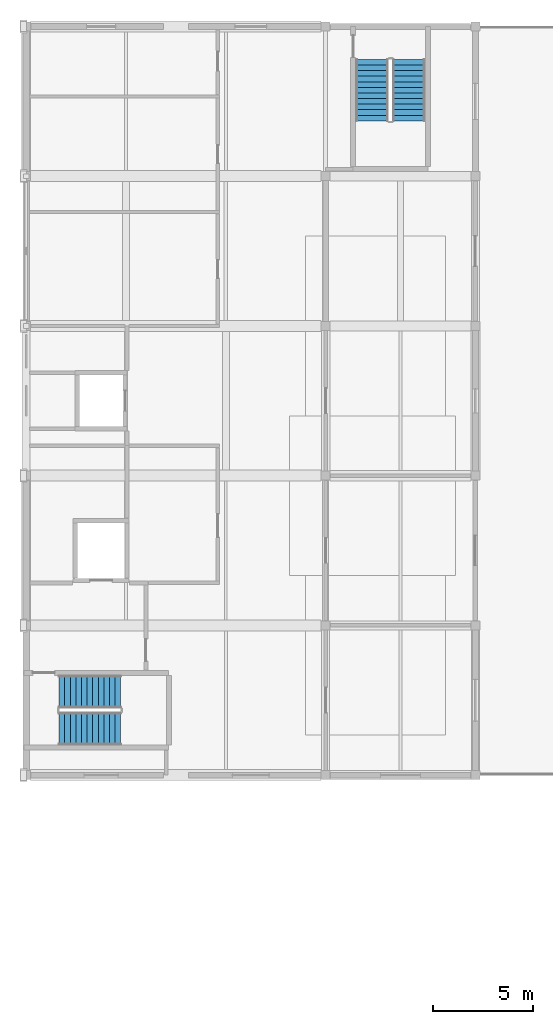
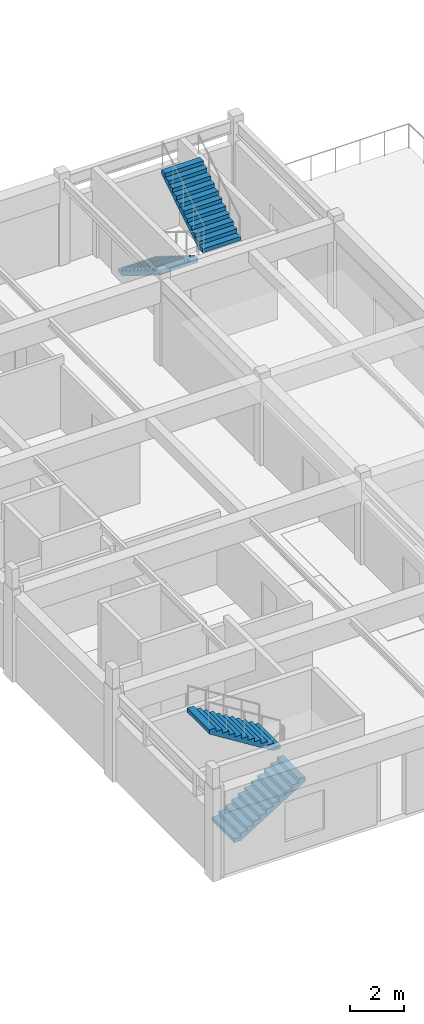
# One storey, part 39 of 51: 4 stair flights, 2 elements without a shape of their own.
"""IFC4 building model written with IfcOpenShell, lengths in metres."""

from ifc_helpers import new_model, si_unit, direction, frame, origin, place, context, subcontext, project, spatial, polyline, outline, extrude, material, type_object, element, aggregate, save


model = new_model("IFC4")

# Units and contexts
model_context = context("Model", 3, precision=1e-05, world=origin(), true_north=direction((0.0, 1.0)))
body_context = subcontext(model_context, "Body", "Model", "MODEL_VIEW")
ifc_project = project(units=[si_unit("LENGTHUNIT", "METRE"), si_unit("AREAUNIT", "SQUARE_METRE"), si_unit("VOLUMEUNIT", "CUBIC_METRE"), si_unit("PLANEANGLEUNIT", "RADIAN"), si_unit("MASSUNIT", "GRAM", prefix="KILO")], contexts=[model_context])

# Site, building, storey
site_placement = place(None, origin())
site = spatial("IfcSite", under=ifc_project, at=site_placement, CompositionType="ELEMENT")
building_placement = place(site_placement, origin())
building = spatial("IfcBuilding", under=site, at=building_placement, Name="Qasida Concert Hall", CompositionType="ELEMENT")
storey_placement = place(building_placement, frame((0.0, 0.0, 21.0)))
storey = spatial("IfcBuildingStorey", under=building, at=storey_placement, Name="L05", CompositionType="ELEMENT", Elevation=21.0)

# Stair, stair flights
ifc_material = material(Name="Concrete C40/50", Category="concrete")
stair_type = type_object("IfcStairType", Name="ST-DL-165", PredefinedType="HALF_TURN_STAIR", material=ifc_material)
stair_1_placement = place(storey_placement, origin())
stair_1 = element("IfcStair", 1, at=stair_1_placement, inside=storey, type_object=stair_type, Name="L05 Exit stair ST-05", PredefinedType="HALF_TURN_STAIR")
stair_flight_type = type_object("IfcStairFlightType", Name="SF-DL-165", PredefinedType="STRAIGHT", material=ifc_material)
stair_flight_1_placement = place(storey_placement, frame((1.64990234375, 77.324951171875, 0.0), z_axis=(0.0, 0.0, 1.0), x_axis=(1.0, 0.0, 0.0)))
stair_flight_1 = element("IfcStairFlight", 2, at=stair_flight_1_placement, type_object=stair_flight_type, Name="ST-05 flight 1", NumberOfRisers=12, NumberOfTreads=11, PredefinedType="STRAIGHT", RiserHeight=0.175, TreadLength=0.28, context=body_context, shape_type="SweptSolid", body=[
    extrude(outline(polyline([(0.0, 0.0), (0.0, 0.175048828125), (0.280029296875, 0.175048828125), (0.280029296875, 0.35009765625), (0.56005859375, 0.35009765625), (0.56005859375, 0.52490234375), (0.840087890625, 0.52490234375), (0.840087890625, 0.699951171875), (1.1201171875, 0.699951171875), (1.1201171875, 0.875), (1.39990234375, 0.875), (1.39990234375, 1.050048828125), (1.679931640625, 1.050048828125), (1.679931640625, 1.22509765625), (1.9599609375, 1.22509765625), (1.9599609375, 1.39990234375), (2.239990234375, 1.39990234375), (2.239990234375, 1.574951171875), (2.52001953125, 1.574951171875), (2.52001953125, 1.75), (2.800048828125, 1.75), (2.800048828125, 1.925048828125), (3.080078125, 1.925048828125), (3.080078125, 2.10009765625), (3.080078125, 1.736328125), (0.3017578125, 0.0), (0.0, 0.0)])), frame((0.0, 0.824951171875, 0.0), z_axis=(0.0, -1.0, 0.0), x_axis=(1.0, 0.0, 0.0)), (0.0, 0.0, 1.0), 1.64990234375),
])
stair_flight_2_placement = place(storey_placement, frame((4.72998046875, 79.175048828125, 2.10009765625), z_axis=(0.0, 0.0, 1.0), x_axis=(-1.0, 0.0, 0.0)))
stair_flight_2 = element("IfcStairFlight", 3, at=stair_flight_2_placement, type_object=stair_flight_type, Name="ST-05 flight 2", NumberOfRisers=12, NumberOfTreads=11, PredefinedType="STRAIGHT", RiserHeight=0.175, TreadLength=0.28, context=body_context, shape_type="SweptSolid", body=[
    extrude(outline(polyline([(0.0, 0.0), (0.0, 0.175048828125), (0.280029296875, 0.175048828125), (0.280029296875, 0.35009765625), (0.56005859375, 0.35009765625), (0.56005859375, 0.52490234375), (0.840087890625, 0.52490234375), (0.840087890625, 0.699951171875), (1.1201171875, 0.699951171875), (1.1201171875, 0.875), (1.39990234375, 0.875), (1.39990234375, 1.050048828125), (1.679931640625, 1.050048828125), (1.679931640625, 1.22509765625), (1.9599609375, 1.22509765625), (1.9599609375, 1.39990234375), (2.239990234375, 1.39990234375), (2.239990234375, 1.574951171875), (2.52001953125, 1.574951171875), (2.52001953125, 1.75), (2.800048828125, 1.75), (2.800048828125, 1.925048828125), (3.080078125, 1.925048828125), (3.080078125, 2.10009765625), (3.080078125, 1.736328125), (0.3017578125, 0.0), (0.0, 0.0)])), frame((0.0, 0.824951171875, 0.0), z_axis=(0.0, -1.0, 0.0), x_axis=(1.0, 0.0, 0.0)), (0.0, 0.0, 1.0), 1.64990234375),
])
aggregate(stair_1, [stair_flight_1, stair_flight_2])

stair_2_placement = place(storey_placement, origin())
stair_2 = element("IfcStair", 4, at=stair_2_placement, inside=storey, type_object=stair_type, Name="L05 Exit stair ST-06", PredefinedType="HALF_TURN_STAIR")
stair_flight_3_placement = place(storey_placement, frame((17.324951171875, 110.85009765625, 0.0), z_axis=(0.0, 0.0, 1.0), x_axis=(0.0, -1.0, 0.0)))
stair_flight_3 = element("IfcStairFlight", 5, at=stair_flight_3_placement, type_object=stair_flight_type, Name="ST-06 flight 1", NumberOfRisers=12, NumberOfTreads=11, PredefinedType="STRAIGHT", RiserHeight=0.175, TreadLength=0.28, context=body_context, shape_type="SweptSolid", body=[
    extrude(outline(polyline([(0.0, 0.0), (0.0, 0.175048828125), (0.280029296875, 0.175048828125), (0.280029296875, 0.35009765625), (0.56005859375, 0.35009765625), (0.56005859375, 0.52490234375), (0.840087890625, 0.52490234375), (0.840087890625, 0.699951171875), (1.1201171875, 0.699951171875), (1.1201171875, 0.875), (1.39990234375, 0.875), (1.39990234375, 1.050048828125), (1.679931640625, 1.050048828125), (1.679931640625, 1.22509765625), (1.9599609375, 1.22509765625), (1.9599609375, 1.39990234375), (2.239990234375, 1.39990234375), (2.239990234375, 1.574951171875), (2.52001953125, 1.574951171875), (2.52001953125, 1.75), (2.800048828125, 1.75), (2.800048828125, 1.925048828125), (3.080078125, 1.925048828125), (3.080078125, 2.10009765625), (3.080078125, 1.736328125), (0.3017578125, 0.0), (0.0, 0.0)])), frame((0.0, 0.824951171875, 0.0), z_axis=(0.0, -1.0, 0.0), x_axis=(1.0, 0.0, 0.0)), (0.0, 0.0, 1.0), 1.64990234375),
])
stair_flight_4_placement = place(storey_placement, frame((19.175048828125, 107.77001953125, 2.10009765625), z_axis=(0.0, 0.0, 1.0), x_axis=(0.0, 1.0, 0.0)))
stair_flight_4 = element("IfcStairFlight", 6, at=stair_flight_4_placement, type_object=stair_flight_type, Name="ST-06 flight 2", NumberOfRisers=12, NumberOfTreads=11, PredefinedType="STRAIGHT", RiserHeight=0.175, TreadLength=0.28, context=body_context, shape_type="SweptSolid", body=[
    extrude(outline(polyline([(0.0, 0.0), (0.0, 0.175048828125), (0.280029296875, 0.175048828125), (0.280029296875, 0.35009765625), (0.56005859375, 0.35009765625), (0.56005859375, 0.52490234375), (0.840087890625, 0.52490234375), (0.840087890625, 0.699951171875), (1.1201171875, 0.699951171875), (1.1201171875, 0.875), (1.39990234375, 0.875), (1.39990234375, 1.050048828125), (1.679931640625, 1.050048828125), (1.679931640625, 1.22509765625), (1.9599609375, 1.22509765625), (1.9599609375, 1.39990234375), (2.239990234375, 1.39990234375), (2.239990234375, 1.574951171875), (2.52001953125, 1.574951171875), (2.52001953125, 1.75), (2.800048828125, 1.75), (2.800048828125, 1.925048828125), (3.080078125, 1.925048828125), (3.080078125, 2.10009765625), (3.080078125, 1.736328125), (0.3017578125, 0.0), (0.0, 0.0)])), frame((0.0, 0.824951171875, 0.0), z_axis=(0.0, -1.0, 0.0), x_axis=(1.0, 0.0, 0.0)), (0.0, 0.0, 1.0), 1.64990234375),
])
aggregate(stair_2, [stair_flight_3, stair_flight_4])

save(model, "model.ifc")
